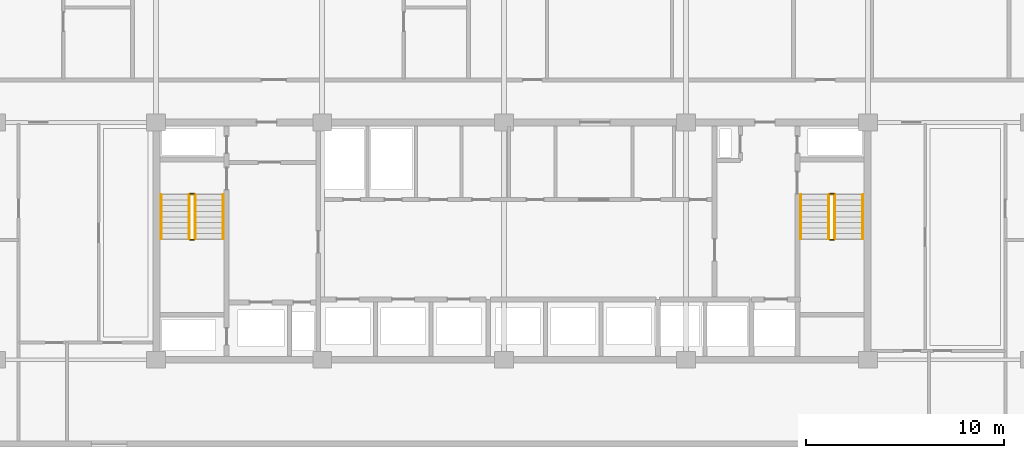
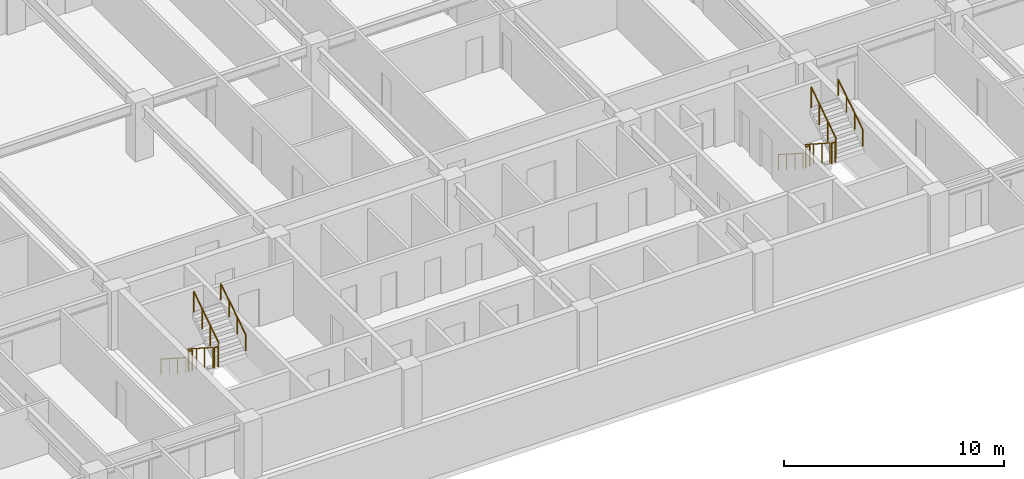
# One storey, part 21 of 22: 12 railings.
"""IFC4 building model written with IfcOpenShell, lengths in metres."""

from ifc_helpers import new_model, si_unit, direction, frame, origin, origin_2d, place, context, subcontext, project, spatial, circle, extrude, material, type_object, element, save


model = new_model("IFC4")

# Units and contexts
model_context = context("Model", 3, precision=1e-05, world=origin(), true_north=direction((0.0, 1.0)))
body_context = subcontext(model_context, "Body", "Model", "MODEL_VIEW")
ifc_project = project(units=[si_unit("LENGTHUNIT", "METRE"), si_unit("AREAUNIT", "SQUARE_METRE"), si_unit("VOLUMEUNIT", "CUBIC_METRE"), si_unit("PLANEANGLEUNIT", "RADIAN"), si_unit("MASSUNIT", "GRAM", prefix="KILO")], contexts=[model_context])

# Site, building, storey
site_placement = place(None, origin())
site = spatial("IfcSite", under=ifc_project, at=site_placement, CompositionType="ELEMENT")
building_placement = place(site_placement, origin())
building = spatial("IfcBuilding", under=site, at=building_placement, Name="Korimba Cascade Residences", CompositionType="ELEMENT")
storey_placement = place(building_placement, frame((0.0, 0.0, 90.550048828125)))
storey = spatial("IfcBuildingStorey", under=building, at=storey_placement, Name="L25", CompositionType="ELEMENT", Elevation=90.550048828125)

# Railings
ifc_material_1 = material(Name="Painted Steel Stairwell Guardrail", Category="steel")
railing_type_1 = type_object("IfcRailingType", Name="RLG-ST-GD1150", PredefinedType="GUARDRAIL", material=ifc_material_1)
railing_1_placement = place(storey_placement, frame((77.77001953125, 63.550048828125, 0.180419921875)))
element("IfcRailing", 1, at=railing_1_placement, inside=storey, type_object=railing_type_1, Name="L25 ST-W1 stair guard 1", PredefinedType="GUARDRAIL", context=body_context, shape_type="SweptSolid", body=[
    extrude(circle(Radius=0.02392578125, at=origin_2d()), frame((0.0, 0.0, 1.1259765625), z_axis=(0.0, -0.840394893359, 0.541974559565), x_axis=(1.0, 0.0, 0.0)), (0.0, 0.0, 1.0), 2.665283203125),
    extrude(circle(Radius=0.02099609375, at=origin_2d()), origin(), (0.0, 0.0, 1.0), 1.101806640625),
    extrude(circle(Radius=0.02099609375, at=origin_2d()), frame((0.0, -0.74658203125, 0.4814453125)), (0.0, 0.0, 1.0), 1.101806640625),
    extrude(circle(Radius=0.02099609375, at=origin_2d()), frame((0.0, -1.493408203125, 0.963134765625)), (0.0, 0.0, 1.0), 1.101806640625),
    extrude(circle(Radius=0.02099609375, at=origin_2d()), frame((0.0, -2.239990234375, 1.444580078125)), (0.0, 0.0, 1.0), 1.101806640625),
])
railing_2_placement = place(storey_placement, frame((77.820068359375, 61.260009765625, 1.625)))
element("IfcRailing", 2, at=railing_2_placement, inside=storey, type_object=railing_type_1, Name="L25 ST-W1 stair guard 2", PredefinedType="GUARDRAIL", context=body_context, shape_type="SweptSolid", body=[
    extrude(circle(Radius=0.02392578125, at=origin_2d()), frame((0.0, 0.0, 1.1259765625), z_axis=(1.0, 0.0, 0.0), x_axis=(0.0, 1.0, 0.0)), (0.0, 0.0, 1.0), 0.199951171875),
    extrude(circle(Radius=0.02099609375, at=origin_2d()), origin(), (0.0, 0.0, 1.0), 1.101806640625),
    extrude(circle(Radius=0.02099609375, at=origin_2d()), frame((0.199951171875, 0.0, 0.0)), (0.0, 0.0, 1.0), 1.101806640625),
])
railing_3_placement = place(storey_placement, frame((78.070068359375, 61.31005859375, 1.805419921875)))
element("IfcRailing", 3, at=railing_3_placement, inside=storey, type_object=railing_type_1, Name="L25 ST-W1 stair guard 3", PredefinedType="GUARDRAIL", context=body_context, shape_type="SweptSolid", body=[
    extrude(circle(Radius=0.02392578125, at=origin_2d()), frame((0.0, 0.0, 1.1259765625), z_axis=(0.0, 0.840394893359, 0.541974559565), x_axis=(-1.0, 0.0, 0.0)), (0.0, 0.0, 1.0), 2.665283203125),
    extrude(circle(Radius=0.02099609375, at=origin_2d()), origin(), (0.0, 0.0, 1.0), 1.101806640625),
    extrude(circle(Radius=0.02099609375, at=origin_2d()), frame((0.0, 0.74658203125, 0.4814453125)), (0.0, 0.0, 1.0), 1.101806640625),
    extrude(circle(Radius=0.02099609375, at=origin_2d()), frame((0.0, 1.493408203125, 0.963134765625)), (0.0, 0.0, 1.0), 1.101806640625),
    extrude(circle(Radius=0.02099609375, at=origin_2d()), frame((0.0, 2.239990234375, 1.444580078125)), (0.0, 0.0, 1.0), 1.101806640625),
])
railing_4_placement = place(storey_placement, frame((77.820068359375, 63.60009765625, 0.0)))
element("IfcRailing", 4, at=railing_4_placement, inside=storey, type_object=railing_type_1, Name="L25 ST-W1 stair guard 4", PredefinedType="GUARDRAIL", context=body_context, shape_type="SweptSolid", body=[
    extrude(circle(Radius=0.02392578125, at=origin_2d()), frame((0.0, 0.0, 1.1259765625), z_axis=(1.0, 0.0, 0.0), x_axis=(0.0, 1.0, 0.0)), (0.0, 0.0, 1.0), 0.199951171875),
    extrude(circle(Radius=0.02099609375, at=origin_2d()), origin(), (0.0, 0.0, 1.0), 1.101806640625),
    extrude(circle(Radius=0.02099609375, at=origin_2d()), frame((0.199951171875, 0.0, 0.0)), (0.0, 0.0, 1.0), 1.101806640625),
])
railing_5_placement = place(storey_placement, frame((110.1298828125, 63.550048828125, 0.180419921875)))
element("IfcRailing", 5, at=railing_5_placement, inside=storey, type_object=railing_type_1, Name="L25 ST-W2 stair guard 1", PredefinedType="GUARDRAIL", context=body_context, shape_type="SweptSolid", body=[
    extrude(circle(Radius=0.02392578125, at=origin_2d()), frame((0.0, 0.0, 1.1259765625), z_axis=(0.0, -0.840394893359, 0.541974559565), x_axis=(1.0, 0.0, 0.0)), (0.0, 0.0, 1.0), 2.665283203125),
    extrude(circle(Radius=0.02099609375, at=origin_2d()), origin(), (0.0, 0.0, 1.0), 1.101806640625),
    extrude(circle(Radius=0.02099609375, at=origin_2d()), frame((0.0, -0.74658203125, 0.4814453125)), (0.0, 0.0, 1.0), 1.101806640625),
    extrude(circle(Radius=0.02099609375, at=origin_2d()), frame((0.0, -1.493408203125, 0.963134765625)), (0.0, 0.0, 1.0), 1.101806640625),
    extrude(circle(Radius=0.02099609375, at=origin_2d()), frame((0.0, -2.239990234375, 1.444580078125)), (0.0, 0.0, 1.0), 1.101806640625),
])
railing_6_placement = place(storey_placement, frame((110.179931640625, 61.260009765625, 1.625)))
element("IfcRailing", 6, at=railing_6_placement, inside=storey, type_object=railing_type_1, Name="L25 ST-W2 stair guard 2", PredefinedType="GUARDRAIL", context=body_context, shape_type="SweptSolid", body=[
    extrude(circle(Radius=0.02392578125, at=origin_2d()), frame((0.0, 0.0, 1.1259765625), z_axis=(1.0, 0.0, 0.0), x_axis=(0.0, 1.0, 0.0)), (0.0, 0.0, 1.0), 0.199951171875),
    extrude(circle(Radius=0.02099609375, at=origin_2d()), origin(), (0.0, 0.0, 1.0), 1.101806640625),
    extrude(circle(Radius=0.02099609375, at=origin_2d()), frame((0.199951171875, 0.0, 0.0)), (0.0, 0.0, 1.0), 1.101806640625),
])
railing_7_placement = place(storey_placement, frame((110.429931640625, 61.31005859375, 1.805419921875)))
element("IfcRailing", 7, at=railing_7_placement, inside=storey, type_object=railing_type_1, Name="L25 ST-W2 stair guard 3", PredefinedType="GUARDRAIL", context=body_context, shape_type="SweptSolid", body=[
    extrude(circle(Radius=0.02392578125, at=origin_2d()), frame((0.0, 0.0, 1.1259765625), z_axis=(0.0, 0.840394893359, 0.541974559565), x_axis=(-1.0, 0.0, 0.0)), (0.0, 0.0, 1.0), 2.665283203125),
    extrude(circle(Radius=0.02099609375, at=origin_2d()), origin(), (0.0, 0.0, 1.0), 1.101806640625),
    extrude(circle(Radius=0.02099609375, at=origin_2d()), frame((0.0, 0.74658203125, 0.4814453125)), (0.0, 0.0, 1.0), 1.101806640625),
    extrude(circle(Radius=0.02099609375, at=origin_2d()), frame((0.0, 1.493408203125, 0.963134765625)), (0.0, 0.0, 1.0), 1.101806640625),
    extrude(circle(Radius=0.02099609375, at=origin_2d()), frame((0.0, 2.239990234375, 1.444580078125)), (0.0, 0.0, 1.0), 1.101806640625),
])
railing_8_placement = place(storey_placement, frame((110.179931640625, 63.60009765625, 0.0)))
element("IfcRailing", 8, at=railing_8_placement, inside=storey, type_object=railing_type_1, Name="L25 ST-W2 stair guard 4", PredefinedType="GUARDRAIL", context=body_context, shape_type="SweptSolid", body=[
    extrude(circle(Radius=0.02392578125, at=origin_2d()), frame((0.0, 0.0, 1.1259765625), z_axis=(1.0, 0.0, 0.0), x_axis=(0.0, 1.0, 0.0)), (0.0, 0.0, 1.0), 0.199951171875),
    extrude(circle(Radius=0.02099609375, at=origin_2d()), origin(), (0.0, 0.0, 1.0), 1.101806640625),
    extrude(circle(Radius=0.02099609375, at=origin_2d()), frame((0.199951171875, 0.0, 0.0)), (0.0, 0.0, 1.0), 1.101806640625),
])
ifc_material_2 = material(Name="Brushed Stainless Steel Handrail", Category="steel")
railing_type_2 = type_object("IfcRailingType", Name="RLG-ST-HR900", PredefinedType="HANDRAIL", material=ifc_material_2)
railing_9_placement = place(storey_placement, frame((76.35009765625, 63.550048828125, 0.364990234375)))
element("IfcRailing", 9, at=railing_9_placement, inside=storey, type_object=railing_type_2, Name="L25 ST-W1 stair handrail 1", PredefinedType="HANDRAIL", context=body_context, shape_type="SweptSolid", body=[
    extrude(circle(Radius=0.02392578125, at=origin_2d()), frame((0.0, 0.0, 0.8759765625), z_axis=(0.0, -0.840436612492, 0.541909863706), x_axis=(1.0, 0.0, 0.0)), (0.0, 0.0, 1.0), 2.665283203125),
    extrude(circle(Radius=0.02099609375, at=origin_2d()), origin(), (0.0, 0.0, 1.0), 0.851806640625),
    extrude(circle(Radius=0.02099609375, at=origin_2d()), frame((0.0, -0.74658203125, 0.4814453125)), (0.0, 0.0, 1.0), 0.851806640625),
    extrude(circle(Radius=0.02099609375, at=origin_2d()), frame((0.0, -1.493408203125, 0.962890625)), (0.0, 0.0, 1.0), 0.851806640625),
    extrude(circle(Radius=0.02099609375, at=origin_2d()), frame((0.0, -2.239990234375, 1.4443359375)), (0.0, 0.0, 1.0), 0.851806640625),
])
railing_10_placement = place(storey_placement, frame((79.489990234375, 61.31005859375, 1.989990234375)))
element("IfcRailing", 10, at=railing_10_placement, inside=storey, type_object=railing_type_2, Name="L25 ST-W1 stair handrail 2", PredefinedType="HANDRAIL", context=body_context, shape_type="SweptSolid", body=[
    extrude(circle(Radius=0.02392578125, at=origin_2d()), frame((0.0, 0.0, 0.8759765625), z_axis=(0.0, 0.840436612492, 0.541909863706), x_axis=(-1.0, 0.0, 0.0)), (0.0, 0.0, 1.0), 2.665283203125),
    extrude(circle(Radius=0.02099609375, at=origin_2d()), origin(), (0.0, 0.0, 1.0), 0.851806640625),
    extrude(circle(Radius=0.02099609375, at=origin_2d()), frame((0.0, 0.74658203125, 0.4814453125)), (0.0, 0.0, 1.0), 0.851806640625),
    extrude(circle(Radius=0.02099609375, at=origin_2d()), frame((0.0, 1.493408203125, 0.962890625)), (0.0, 0.0, 1.0), 0.851806640625),
    extrude(circle(Radius=0.02099609375, at=origin_2d()), frame((0.0, 2.239990234375, 1.4443359375)), (0.0, 0.0, 1.0), 0.851806640625),
])
railing_11_placement = place(storey_placement, frame((108.7099609375, 63.550048828125, 0.364990234375)))
element("IfcRailing", 11, at=railing_11_placement, inside=storey, type_object=railing_type_2, Name="L25 ST-W2 stair handrail 1", PredefinedType="HANDRAIL", context=body_context, shape_type="SweptSolid", body=[
    extrude(circle(Radius=0.02392578125, at=origin_2d()), frame((0.0, 0.0, 0.8759765625), z_axis=(0.0, -0.840436612492, 0.541909863706), x_axis=(1.0, 0.0, 0.0)), (0.0, 0.0, 1.0), 2.665283203125),
    extrude(circle(Radius=0.02099609375, at=origin_2d()), origin(), (0.0, 0.0, 1.0), 0.851806640625),
    extrude(circle(Radius=0.02099609375, at=origin_2d()), frame((0.0, -0.74658203125, 0.4814453125)), (0.0, 0.0, 1.0), 0.851806640625),
    extrude(circle(Radius=0.02099609375, at=origin_2d()), frame((0.0, -1.493408203125, 0.962890625)), (0.0, 0.0, 1.0), 0.851806640625),
    extrude(circle(Radius=0.02099609375, at=origin_2d()), frame((0.0, -2.239990234375, 1.4443359375)), (0.0, 0.0, 1.0), 0.851806640625),
])
railing_12_placement = place(storey_placement, frame((111.85009765625, 61.31005859375, 1.989990234375)))
element("IfcRailing", 12, at=railing_12_placement, inside=storey, type_object=railing_type_2, Name="L25 ST-W2 stair handrail 2", PredefinedType="HANDRAIL", context=body_context, shape_type="SweptSolid", body=[
    extrude(circle(Radius=0.02392578125, at=origin_2d()), frame((0.0, 0.0, 0.8759765625), z_axis=(0.0, 0.840436612492, 0.541909863706), x_axis=(-1.0, 0.0, 0.0)), (0.0, 0.0, 1.0), 2.665283203125),
    extrude(circle(Radius=0.02099609375, at=origin_2d()), origin(), (0.0, 0.0, 1.0), 0.851806640625),
    extrude(circle(Radius=0.02099609375, at=origin_2d()), frame((0.0, 0.74658203125, 0.4814453125)), (0.0, 0.0, 1.0), 0.851806640625),
    extrude(circle(Radius=0.02099609375, at=origin_2d()), frame((0.0, 1.493408203125, 0.962890625)), (0.0, 0.0, 1.0), 0.851806640625),
    extrude(circle(Radius=0.02099609375, at=origin_2d()), frame((0.0, 2.239990234375, 1.4443359375)), (0.0, 0.0, 1.0), 0.851806640625),
])

save(model, "model.ifc")
